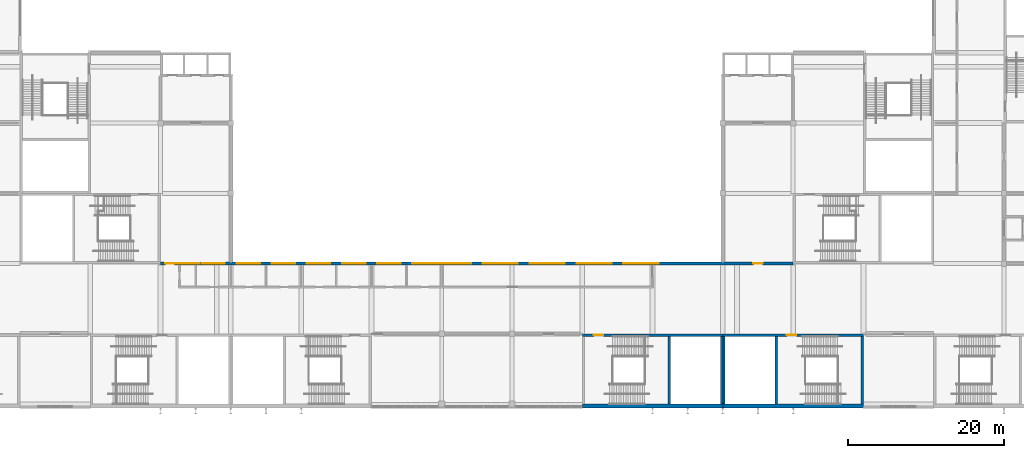
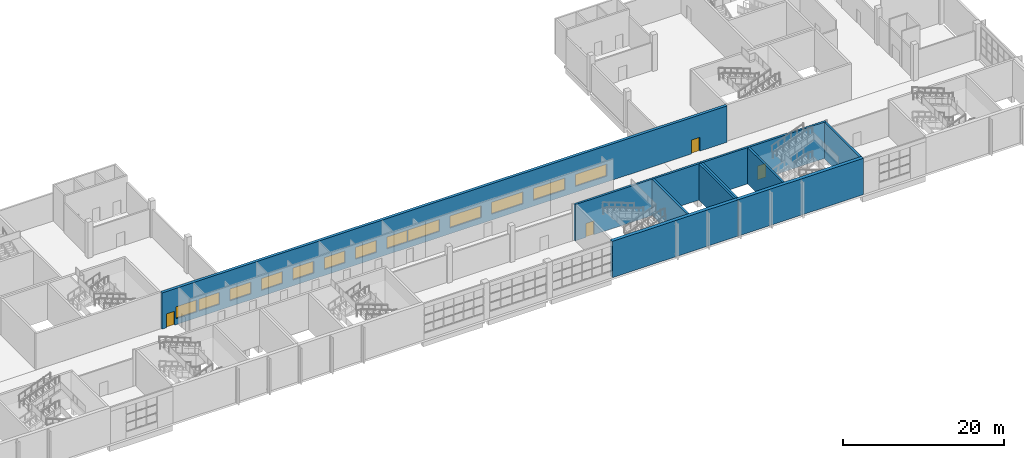
# One storey, part 35 of 84: 13 windows, 10 walls, 4 doors, 17 openings.
"""IFC4 building model written with IfcOpenShell, lengths in metres."""

import ifcopenshell
import ifcopenshell.guid

model = None  # the IFC model being written
_history = None  # IfcOwnerHistory: only IFC2X3 demands one
_inside = {}  # id of a spatial element -> (the spatial element, [elements in it])
_under = {}  # id of a project, library or spatial element -> (it, [spatial elements below it])
_declared = {}  # id of a project -> (the project, [libraries it declares])
_typed = {}  # id of a type object -> (the type object, [elements of that type])
_made_of = {}  # id of a material, layer set ... -> (it, [elements and type objects made of it])


def new_model(schema):
    """Start an empty IFC model of exactly this schema.

    Asked for "IFC4X3", IfcOpenShell would pick the latest addendum, in which some entities
    have other attributes; the version numbers below select the first issue.
    IFC2X3 requires an IfcOwnerHistory on every rooted entity: one is made here for all.
    """
    global model, _history
    if schema == "IFC4X3":
        model = ifcopenshell.file(schema_version=(4, 3, 0, 0))
    else:
        model = ifcopenshell.file(schema=schema)
    _inside.clear()
    _under.clear()
    _declared.clear()
    _typed.clear()
    _made_of.clear()
    _history = None
    if model.schema == "IFC2X3":
        org = make("IfcOrganization", Name="unknown")
        user = make(
            "IfcPersonAndOrganization",
            ThePerson=make("IfcPerson", FamilyName="unknown"),
            TheOrganization=org,
        )
        app = make(
            "IfcApplication",
            ApplicationDeveloper=org,
            Version="unknown",
            ApplicationFullName="unknown",
            ApplicationIdentifier="unknown",
        )
        _history = make(
            "IfcOwnerHistory",
            OwningUser=user,
            OwningApplication=app,
            ChangeAction="ADDED",
            CreationDate=0,
        )
    return model


def make(cls, **values):
    """One entity of the class cls with the attributes given. An attribute that is None is left unset."""
    return model.create_entity(
        cls, **{name: value for name, value in values.items() if value is not None}
    )


def rooted(cls, **values):
    """An entity with a GlobalId (a new one), such as an element, a storey or a relation."""
    return make(cls, GlobalId=ifcopenshell.guid.new(), OwnerHistory=_history, **values)


def si_unit(unit_type, name, prefix=None):
    """IfcSIUnit, for example si_unit("LENGTHUNIT", "METRE", prefix="MILLI")."""
    return make("IfcSIUnit", UnitType=unit_type, Prefix=prefix, Name=name)


def assignment(units):
    """IfcUnitAssignment: the units of a project."""
    return None if units is None else make("IfcUnitAssignment", Units=units)


def point(xyz):
    """IfcCartesianPoint."""
    return None if xyz is None else make("IfcCartesianPoint", Coordinates=xyz)


def direction(xyz):
    """IfcDirection."""
    return None if xyz is None else make("IfcDirection", DirectionRatios=xyz)


def frame(location, z_axis=None, x_axis=None):
    """IfcAxis2Placement3D, a coordinate frame: its origin and axes. An axis left out is left unset."""
    return make(
        "IfcAxis2Placement3D",
        Location=point(location),
        Axis=direction(z_axis),
        RefDirection=direction(x_axis),
    )


def frame_2d(location, x_axis=None):
    """IfcAxis2Placement2D, a coordinate frame in the plane: its origin and x axis."""
    return make(
        "IfcAxis2Placement2D", Location=point(location), RefDirection=direction(x_axis)
    )


def origin():
    """The frame at (0, 0, 0) with its axes left unset."""
    return frame((0.0, 0.0, 0.0))


def place(relative_to, where):
    """IfcLocalPlacement: puts the frame where relative to a parent placement (None: the world)."""
    return make(
        "IfcLocalPlacement", PlacementRelTo=relative_to, RelativePlacement=where
    )


def context(
    kind, dimensions, precision=None, world=None, true_north=None, identifier=None
):
    """IfcGeometricRepresentationContext, for example the 3D "Model" context."""
    return make(
        "IfcGeometricRepresentationContext",
        ContextIdentifier=identifier,
        ContextType=kind,
        CoordinateSpaceDimension=dimensions,
        Precision=precision,
        WorldCoordinateSystem=world,
        TrueNorth=true_north,
    )


def subcontext(parent, identifier, kind, view, scale=None):
    """IfcGeometricRepresentationSubContext, for example "Body" below "Model"."""
    return make(
        "IfcGeometricRepresentationSubContext",
        ContextIdentifier=identifier,
        ContextType=kind,
        ParentContext=parent,
        TargetScale=scale,
        TargetView=view,
    )


def project(units=None, contexts=None):
    """IfcProject with its units and contexts."""
    return rooted(
        "IfcProject",
        Name="project",
        RepresentationContexts=contexts,
        UnitsInContext=assignment(units),
    )


def spatial(cls, under=None, at=None, **own):
    """A site, building, storey or space (cls), placed at a placement, below another one or the project."""
    s = rooted(cls, ObjectPlacement=at, **own)
    if under is not None:
        _under.setdefault(under.id(), (under, []))[1].append(s)
    return s


def profile(cls, at=None, kind="AREA", **sizes):
    """A parametric profile (cls). Its sizes go by their IFC names, for example OverallWidth=200.0."""
    return make(cls, ProfileType=kind, Position=at, **sizes)


def rectangle(**sizes):
    """IfcRectangleProfileDef."""
    return profile("IfcRectangleProfileDef", **sizes)


def extrude(swept, where, along, depth):
    """IfcExtrudedAreaSolid: the profile swept, set in the frame where, extruded along a direction by depth."""
    return make(
        "IfcExtrudedAreaSolid",
        SweptArea=swept,
        Position=where,
        ExtrudedDirection=direction(along),
        Depth=depth,
    )


def shape(context_of_items, identifier, shape_type, items):
    """IfcShapeRepresentation: the items that make up one representation, for example the "Body"."""
    return make(
        "IfcShapeRepresentation",
        ContextOfItems=context_of_items,
        RepresentationIdentifier=identifier,
        RepresentationType=shape_type,
        Items=items,
    )


def material(Name=None, Category=None):
    """IfcMaterial."""
    return make("IfcMaterial", Name=Name, Category=Category)


def layer(
    of_material, thickness, ventilated=None, Name=None, Category=None, Priority=None
):
    """IfcMaterialLayer: one layer of a wall or slab, of a material (None: an air gap)."""
    return make(
        "IfcMaterialLayer",
        Material=of_material,
        LayerThickness=thickness,
        IsVentilated=ventilated,
        Name=Name,
        Category=Category,
        Priority=Priority,
    )


def layer_set(layers, Name=None):
    """IfcMaterialLayerSet."""
    return make("IfcMaterialLayerSet", MaterialLayers=layers, LayerSetName=Name)


def made_of(thing, what):
    """Note that an element or type object is made of a material, layer set ...; save() writes the relation."""
    if what is not None:
        _made_of.setdefault(what.id(), (what, []))[1].append(thing)
    return thing


def type_object(cls, material=None, **own):
    """A type object (cls), such as IfcWallType, which elements share."""
    return made_of(rooted(cls, **own), material)


def element(
    cls,
    number,
    at=None,
    inside=None,
    cuts=None,
    type_object=None,
    material=None,
    context=None,
    identifier="Body",
    shape_type=None,
    held_by="IfcProductDefinitionShape",
    body=None,
    shapes=None,
    **own,
):
    """One element of the class cls, such as IfcWall. Its Tag is "e" and its number.

    at: its placement. inside: the storey or other place that contains it. cuts: it is an
    opening in that element (IfcRelVoidsElement). A single representation is given by context,
    identifier, shape_type and body (its items); several are given by shapes. held_by: the class
    of the entity that holds the representations. save() writes the other relations.
    """
    e = rooted(cls, Tag="e%d" % number, ObjectPlacement=at, **own)
    if body is not None:
        shapes = [shape(context, identifier, shape_type, body)]
    if shapes is not None:
        e.Representation = make(held_by, Representations=shapes)
    if inside is not None:
        _inside.setdefault(inside.id(), (inside, []))[1].append(e)
    if cuts is not None:
        rooted(
            "IfcRelVoidsElement", RelatingBuildingElement=cuts, RelatedOpeningElement=e
        )
    if type_object is not None:
        _typed.setdefault(type_object.id(), (type_object, []))[1].append(e)
    return made_of(e, material)


def fill(opening, filler):
    """IfcRelFillsElement: the door or window that sits in an opening."""
    return rooted(
        "IfcRelFillsElement",
        RelatingOpeningElement=opening,
        RelatedBuildingElement=filler,
    )


def aggregate(whole, parts):
    """IfcRelAggregates: a whole, such as a stair, and the parts it consists of."""
    return rooted("IfcRelAggregates", RelatingObject=whole, RelatedObjects=parts)


def save(model, path):
    """Write the relations noted so far, then the file.

    IfcRelAggregates (storeys below a building ...), IfcRelContainedInSpatialStructure (elements
    in a storey), IfcRelDefinesByType, IfcRelAssociatesMaterial and IfcRelDeclares: one each for
    every whole, place, type object, material and project.
    """
    for whole, parts in _under.values():
        aggregate(whole, parts)
    for where, things in _inside.values():
        rooted(
            "IfcRelContainedInSpatialStructure",
            RelatedElements=things,
            RelatingStructure=where,
        )
    for kind, things in _typed.values():
        rooted("IfcRelDefinesByType", RelatedObjects=things, RelatingType=kind)
    for what, things in _made_of.values():
        rooted("IfcRelAssociatesMaterial", RelatedObjects=things, RelatingMaterial=what)
    for by, libraries in _declared.values():
        rooted("IfcRelDeclares", RelatingContext=by, RelatedDefinitions=libraries)
    model.write(path)


model = new_model("IFC4")

# Units and contexts
model_context = context("Model", 3, precision=1e-05, world=origin(), true_north=direction((0.0, 1.0)))
body_context = subcontext(model_context, "Body", "Model", "MODEL_VIEW")
ifc_project = project(units=[si_unit("LENGTHUNIT", "METRE"), si_unit("AREAUNIT", "SQUARE_METRE"), si_unit("VOLUMEUNIT", "CUBIC_METRE"), si_unit("PLANEANGLEUNIT", "RADIAN"), si_unit("MASSUNIT", "GRAM", prefix="KILO")], contexts=[model_context])

# Site, building, storey
site_placement = place(None, origin())
site = spatial("IfcSite", under=ifc_project, at=site_placement, CompositionType="ELEMENT")
building_placement = place(site_placement, origin())
building = spatial("IfcBuilding", under=site, at=building_placement, Name="Silverbay Arena", CompositionType="ELEMENT")
storey_placement = place(building_placement, frame((0.0, 0.0, 28.0)))
storey = spatial("IfcBuildingStorey", under=building, at=storey_placement, Name="L04", CompositionType="ELEMENT", Elevation=28.0)

# Wall, opening, door
ifc_material_1 = material(Name="Concrete Grade C45", Category="concrete")
ifc_layer_1 = layer(ifc_material_1, 0.300048828125)
ifc_layer_set_1 = layer_set([ifc_layer_1], Name="Concrete Grade C45")
wall_type_1 = type_object("IfcWallType", Name="Core wall RC 300 EI 120", PredefinedType="SHEAR", material=ifc_layer_set_1)
wall_1_placement = place(storey_placement, frame((144.0, 26.85009765625, 0.0), z_axis=(0.0, 0.0, 1.0), x_axis=(1.0, 0.0, 0.0)))
wall_1 = element("IfcWall", 1, at=wall_1_placement, inside=storey, type_object=wall_type_1, Name="Core wall ST-S3 L04 door side", PredefinedType="SHEAR", context=body_context, shape_type="SweptSolid", body=[
    extrude(rectangle(XDim=18.0, YDim=0.300048828125, at=frame_2d((9.0, 0.0))), origin(), (0.0, 0.0, 1.0), 5.5),
])
opening_1_placement = place(wall_1_placement, frame((1.5, 0.0, 0.0)))
opening_1 = element("IfcOpeningElement", 2, at=opening_1_placement, cuts=wall_1, Name="Opening L04-057", PredefinedType="OPENING", context=body_context, shape_type="SweptSolid", body=[
    extrude(rectangle(XDim=1.199951171875, YDim=2.10009765625, at=frame_2d((0.60009765625, 1.050048828125))), frame((0.0, 0.16015625, 0.0), z_axis=(0.0, -1.0, 0.0), x_axis=(1.0, 0.0, 0.0)), (0.0, 0.0, 1.0), 0.320068359375),
])
ifc_material_2 = material(Name="Steel fire door", Category="steel")
door_type_1 = type_object("IfcDoorType", Name="Stair door 1200 x 2100 fire door", OperationType="SINGLE_SWING_LEFT", PredefinedType="DOOR", material=ifc_material_2)
door_1_placement = place(opening_1_placement, frame((1.199951171875, 0.0, 0.0), z_axis=(0.0, 0.0, 1.0), x_axis=(-1.0, 0.0, 0.0)))
door_1 = element("IfcDoor", 3, at=door_1_placement, inside=storey, type_object=door_type_1, Name="Stair door ST-S3 L04", OperationType="SINGLE_SWING_RIGHT", OverallHeight=2.10009765625, OverallWidth=1.199951171875, PredefinedType="DOOR", context=body_context, shape_type="SweptSolid", body=[
    extrude(rectangle(XDim=1.199951171875, YDim=2.10009765625, at=frame_2d((0.60009765625, 1.050048828125))), frame((0.0, 0.02490234375, 0.0), z_axis=(0.0, -1.0, 0.0), x_axis=(1.0, 0.0, 0.0)), (0.0, 0.0, 1.0), 0.050048828125),
])
fill(opening_1, door_1)

# Walls
for number, where, z_axis, x_axis, name in (
    (4, (161.85009765625, 26.699951171875, 0.0), (0.0, 0.0, 1.0), (0.0, -1.0, 0.0), "Core wall ST-S3 L04 end 2"),
    (5, (155.14990234375, 26.699951171875, 0.0), (0.0, 0.0, 1.0), (0.0, -1.0, 0.0), "Core wall ST-S3 L04 stair enclosure"),
):
    element("IfcWall", number, at=place(storey_placement, frame(where, z_axis=z_axis, x_axis=x_axis)), inside=storey, type_object=wall_type_1, Name=name, PredefinedType="SHEAR", context=body_context, shape_type="SweptSolid", body=[
        extrude(rectangle(XDim=8.699951171875, YDim=0.300048828125, at=frame_2d((4.35009765625, 0.0))), origin(), (0.0, 0.0, 1.0), 5.5),
    ])

# Wall, opening, door
wall_2_placement = place(storey_placement, frame((180.0, 26.85009765625, 0.0), z_axis=(0.0, 0.0, 1.0), x_axis=(-1.0, 0.0, 0.0)))
wall_2 = element("IfcWall", 6, at=wall_2_placement, inside=storey, type_object=wall_type_1, Name="Core wall ST-S4 L04 door side", PredefinedType="SHEAR", context=body_context, shape_type="SweptSolid", body=[
    extrude(rectangle(XDim=18.0, YDim=0.300048828125, at=frame_2d((9.0, 0.0))), origin(), (0.0, 0.0, 1.0), 5.5),
])
opening_2_placement = place(wall_2_placement, frame((8.60009765625, 0.0, 0.0)))
opening_2 = element("IfcOpeningElement", 7, at=opening_2_placement, cuts=wall_2, Name="Opening L04-058", PredefinedType="OPENING", context=body_context, shape_type="SweptSolid", body=[
    extrude(rectangle(XDim=1.199951171875, YDim=2.10009765625, at=frame_2d((0.60009765625, 1.050048828125))), frame((0.0, 0.16015625, 0.0), z_axis=(0.0, -1.0, 0.0), x_axis=(1.0, 0.0, 0.0)), (0.0, 0.0, 1.0), 0.320068359375),
])
door_2_placement = place(opening_2_placement, origin())
door_2 = element("IfcDoor", 8, at=door_2_placement, inside=storey, type_object=door_type_1, Name="Stair door ST-S4 L04", OperationType="SINGLE_SWING_RIGHT", OverallHeight=2.10009765625, OverallWidth=1.199951171875, PredefinedType="DOOR", context=body_context, shape_type="SweptSolid", body=[
    extrude(rectangle(XDim=1.199951171875, YDim=2.10009765625, at=frame_2d((0.60009765625, 1.050048828125))), frame((0.0, 0.02490234375, 0.0), z_axis=(0.0, -1.0, 0.0), x_axis=(1.0, 0.0, 0.0)), (0.0, 0.0, 1.0), 0.050048828125),
])
fill(opening_2, door_2)

# Walls
for number, where, z_axis, x_axis, name in (
    (9, (179.85009765625, 26.699951171875, 0.0), (0.0, 0.0, 1.0), (0.0, -1.0, 0.0), "Core wall ST-S4 L04 end 1"),
    (10, (162.14990234375, 26.699951171875, 0.0), (0.0, 0.0, 1.0), (0.0, -1.0, 0.0), "Core wall ST-S4 L04 end 2"),
    (11, (168.85009765625, 26.699951171875, 0.0), (0.0, 0.0, 1.0), (0.0, -1.0, 0.0), "Core wall ST-S4 L04 stair enclosure"),
):
    element("IfcWall", number, at=place(storey_placement, frame(where, z_axis=z_axis, x_axis=x_axis)), inside=storey, type_object=wall_type_1, Name=name, PredefinedType="SHEAR", context=body_context, shape_type="SweptSolid", body=[
        extrude(rectangle(XDim=8.699951171875, YDim=0.300048828125, at=frame_2d((4.35009765625, 0.0))), origin(), (0.0, 0.0, 1.0), 5.5),
    ])
ifc_material_3 = material(Name="Concrete Grade C45", Category="concrete")
ifc_layer_2 = layer(ifc_material_3, 0.5)
ifc_layer_set_2 = layer_set([ifc_layer_2], Name="Concrete Grade C45")
wall_type_2 = type_object("IfcWallType", Name="Core wall RC 500 external EI 120", PredefinedType="SHEAR", material=ifc_layer_set_2)
for number, where, z_axis, x_axis, name in (
    (12, (144.0, 17.75, 0.0), (0.0, 0.0, 1.0), (1.0, 0.0, 0.0), "Core wall ST-S3 L04 facade side"),
    (13, (180.0, 17.75, 0.0), (0.0, 0.0, 1.0), (-1.0, 0.0, 0.0), "Core wall ST-S4 L04 facade side"),
):
    element("IfcWall", number, at=place(storey_placement, frame(where, z_axis=z_axis, x_axis=x_axis)), inside=storey, type_object=wall_type_2, Name=name, PredefinedType="SHEAR", context=body_context, shape_type="SweptSolid", body=[
        extrude(rectangle(XDim=18.0, YDim=0.5, at=frame_2d((9.0, 0.0))), origin(), (0.0, 0.0, 1.0), 5.5),
    ])

# Wall, openings, windows, doors
ifc_material_4 = material(Name="Concrete Grade C45", Category="concrete")
ifc_layer_3 = layer(ifc_material_4, 0.39990234375)
ifc_layer_set_3 = layer_set([ifc_layer_3], Name="Concrete Grade C45")
wall_type_3 = type_object("IfcWallType", Name="RC back wall 400 EI 120", PredefinedType="SOLIDWALL", material=ifc_layer_set_3)
wall_3_placement = place(storey_placement, frame((90.0, 36.0, 0.0), z_axis=(0.0, 0.0, 1.0), x_axis=(1.0, 0.0, 0.0)))
wall_3 = element("IfcWall", 14, at=wall_3_placement, inside=storey, type_object=wall_type_3, Name="Bowl back wall L04 01", PredefinedType="SOLIDWALL", context=body_context, shape_type="SweptSolid", body=[
    extrude(rectangle(XDim=81.0, YDim=0.39990234375, at=frame_2d((40.5, 0.0))), origin(), (0.0, 0.0, 1.0), 5.5),
])
opening_3_placement = place(wall_3_placement, frame((1.96240234375, 0.0, 0.89990234375)))
opening_3 = element("IfcOpeningElement", 15, at=opening_3_placement, cuts=wall_3, Name="Opening WN2", PredefinedType="OPENING", context=body_context, shape_type="SweptSolid", body=[
    extrude(rectangle(XDim=3.0, YDim=1.800048828125, at=frame_2d((1.5, 0.89990234375))), frame((0.0, 0.2099609375, 0.0), z_axis=(0.0, -1.0, 0.0), x_axis=(1.0, 0.0, 0.0)), (0.0, 0.0, 1.0), 0.419921875),
])
opening_4_placement = place(wall_3_placement, frame((5.25, 0.0, 0.89990234375)))
opening_4 = element("IfcOpeningElement", 16, at=opening_4_placement, cuts=wall_3, Name="Opening WN2", PredefinedType="OPENING", context=body_context, shape_type="SweptSolid", body=[
    extrude(rectangle(XDim=3.0, YDim=1.800048828125, at=frame_2d((1.5, 0.89990234375))), frame((0.0, 0.2099609375, 0.0), z_axis=(0.0, -1.0, 0.0), x_axis=(1.0, 0.0, 0.0)), (0.0, 0.0, 1.0), 0.419921875),
])
opening_5_placement = place(wall_3_placement, frame((9.75, 0.0, 0.89990234375)))
opening_5 = element("IfcOpeningElement", 17, at=opening_5_placement, cuts=wall_3, Name="Opening WN2", PredefinedType="OPENING", context=body_context, shape_type="SweptSolid", body=[
    extrude(rectangle(XDim=3.0, YDim=1.800048828125, at=frame_2d((1.5, 0.89990234375))), frame((0.0, 0.2099609375, 0.0), z_axis=(0.0, -1.0, 0.0), x_axis=(1.0, 0.0, 0.0)), (0.0, 0.0, 1.0), 0.419921875),
])
opening_6_placement = place(wall_3_placement, frame((14.25, 0.0, 0.89990234375)))
opening_6 = element("IfcOpeningElement", 18, at=opening_6_placement, cuts=wall_3, Name="Opening WN2", PredefinedType="OPENING", context=body_context, shape_type="SweptSolid", body=[
    extrude(rectangle(XDim=3.0, YDim=1.800048828125, at=frame_2d((1.5, 0.89990234375))), frame((0.0, 0.2099609375, 0.0), z_axis=(0.0, -1.0, 0.0), x_axis=(1.0, 0.0, 0.0)), (0.0, 0.0, 1.0), 0.419921875),
])
opening_7_placement = place(wall_3_placement, frame((18.75, 0.0, 0.89990234375)))
opening_7 = element("IfcOpeningElement", 19, at=opening_7_placement, cuts=wall_3, Name="Opening WN2", PredefinedType="OPENING", context=body_context, shape_type="SweptSolid", body=[
    extrude(rectangle(XDim=3.0, YDim=1.800048828125, at=frame_2d((1.5, 0.89990234375))), frame((0.0, 0.2099609375, 0.0), z_axis=(0.0, -1.0, 0.0), x_axis=(1.0, 0.0, 0.0)), (0.0, 0.0, 1.0), 0.419921875),
])
opening_8_placement = place(wall_3_placement, frame((23.25, 0.0, 0.89990234375)))
opening_8 = element("IfcOpeningElement", 20, at=opening_8_placement, cuts=wall_3, Name="Opening WN2", PredefinedType="OPENING", context=body_context, shape_type="SweptSolid", body=[
    extrude(rectangle(XDim=3.0, YDim=1.800048828125, at=frame_2d((1.5, 0.89990234375))), frame((0.0, 0.2099609375, 0.0), z_axis=(0.0, -1.0, 0.0), x_axis=(1.0, 0.0, 0.0)), (0.0, 0.0, 1.0), 0.419921875),
])
opening_9_placement = place(wall_3_placement, frame((27.75, 0.0, 0.89990234375)))
opening_9 = element("IfcOpeningElement", 21, at=opening_9_placement, cuts=wall_3, Name="Opening WN2", PredefinedType="OPENING", context=body_context, shape_type="SweptSolid", body=[
    extrude(rectangle(XDim=3.0, YDim=1.800048828125, at=frame_2d((1.5, 0.89990234375))), frame((0.0, 0.2099609375, 0.0), z_axis=(0.0, -1.0, 0.0), x_axis=(1.0, 0.0, 0.0)), (0.0, 0.0, 1.0), 0.419921875),
])
opening_10_placement = place(wall_3_placement, frame((32.237548828125, 0.0, 0.89990234375)))
opening_10 = element("IfcOpeningElement", 22, at=opening_10_placement, cuts=wall_3, Name="Opening WN2", PredefinedType="OPENING", context=body_context, shape_type="SweptSolid", body=[
    extrude(rectangle(XDim=3.0, YDim=1.800048828125, at=frame_2d((1.5, 0.89990234375))), frame((0.0, 0.2099609375, 0.0), z_axis=(0.0, -1.0, 0.0), x_axis=(1.0, 0.0, 0.0)), (0.0, 0.0, 1.0), 0.419921875),
])
opening_11_placement = place(wall_3_placement, frame((35.262451171875, 0.0, 0.89990234375)))
opening_11 = element("IfcOpeningElement", 23, at=opening_11_placement, cuts=wall_3, Name="Opening WN3", PredefinedType="OPENING", context=body_context, shape_type="SweptSolid", body=[
    extrude(rectangle(XDim=4.5, YDim=1.800048828125, at=frame_2d((2.25, 0.89990234375))), frame((0.0, 0.2099609375, 0.0), z_axis=(0.0, -1.0, 0.0), x_axis=(1.0, 0.0, 0.0)), (0.0, 0.0, 1.0), 0.419921875),
])
opening_12_placement = place(wall_3_placement, frame((41.262451171875, 0.0, 0.89990234375)))
opening_12 = element("IfcOpeningElement", 24, at=opening_12_placement, cuts=wall_3, Name="Opening WN3", PredefinedType="OPENING", context=body_context, shape_type="SweptSolid", body=[
    extrude(rectangle(XDim=4.5, YDim=1.800048828125, at=frame_2d((2.25, 0.89990234375))), frame((0.0, 0.2099609375, 0.0), z_axis=(0.0, -1.0, 0.0), x_axis=(1.0, 0.0, 0.0)), (0.0, 0.0, 1.0), 0.419921875),
])
opening_13_placement = place(wall_3_placement, frame((47.262451171875, 0.0, 0.89990234375)))
opening_13 = element("IfcOpeningElement", 25, at=opening_13_placement, cuts=wall_3, Name="Opening WN3", PredefinedType="OPENING", context=body_context, shape_type="SweptSolid", body=[
    extrude(rectangle(XDim=4.5, YDim=1.800048828125, at=frame_2d((2.25, 0.89990234375))), frame((0.0, 0.2099609375, 0.0), z_axis=(0.0, -1.0, 0.0), x_axis=(1.0, 0.0, 0.0)), (0.0, 0.0, 1.0), 0.419921875),
])
opening_14_placement = place(wall_3_placement, frame((53.262451171875, 0.0, 0.89990234375)))
opening_14 = element("IfcOpeningElement", 26, at=opening_14_placement, cuts=wall_3, Name="Opening WN3", PredefinedType="OPENING", context=body_context, shape_type="SweptSolid", body=[
    extrude(rectangle(XDim=4.5, YDim=1.800048828125, at=frame_2d((2.25, 0.89990234375))), frame((0.0, 0.2099609375, 0.0), z_axis=(0.0, -1.0, 0.0), x_axis=(1.0, 0.0, 0.0)), (0.0, 0.0, 1.0), 0.419921875),
])
opening_15_placement = place(wall_3_placement, frame((59.262451171875, 0.0, 0.89990234375)))
opening_15 = element("IfcOpeningElement", 27, at=opening_15_placement, cuts=wall_3, Name="Opening WN3", PredefinedType="OPENING", context=body_context, shape_type="SweptSolid", body=[
    extrude(rectangle(XDim=4.5, YDim=1.800048828125, at=frame_2d((2.25, 0.89990234375))), frame((0.0, 0.2099609375, 0.0), z_axis=(0.0, -1.0, 0.0), x_axis=(1.0, 0.0, 0.0)), (0.0, 0.0, 1.0), 0.419921875),
])
opening_16_placement = place(wall_3_placement, frame((75.89990234375, 0.0, 0.0)))
opening_16 = element("IfcOpeningElement", 28, at=opening_16_placement, cuts=wall_3, Name="Opening L04-091", PredefinedType="OPENING", context=body_context, shape_type="SweptSolid", body=[
    extrude(rectangle(XDim=1.199951171875, YDim=2.10009765625, at=frame_2d((0.60009765625, 1.050048828125))), frame((0.0, 0.2099609375, 0.0), z_axis=(0.0, -1.0, 0.0), x_axis=(1.0, 0.0, 0.0)), (0.0, 0.0, 1.0), 0.419921875),
])
opening_17_placement = place(wall_3_placement, frame((0.60009765625, 0.0, 0.0)))
opening_17 = element("IfcOpeningElement", 29, at=opening_17_placement, cuts=wall_3, Name="Opening L04-093", PredefinedType="OPENING", context=body_context, shape_type="SweptSolid", body=[
    extrude(rectangle(XDim=1.199951171875, YDim=2.10009765625, at=frame_2d((0.60009765625, 1.050048828125))), frame((0.0, 0.2099609375, 0.0), z_axis=(0.0, -1.0, 0.0), x_axis=(1.0, 0.0, 0.0)), (0.0, 0.0, 1.0), 0.419921875),
])
ifc_material_5 = material(Name="Fire-resisting glass", Category="glass")
window_type_1 = type_object("IfcWindowType", Name="Fire-resisting window EI 120 3000 x 1800", PartitioningType="SINGLE_PANEL", PredefinedType="WINDOW", material=ifc_material_5)
window_1_placement = place(opening_3_placement, origin())
window_1 = element("IfcWindow", 30, at=window_1_placement, inside=storey, type_object=window_type_1, Name="Media viewing window Commentary Position 01", OverallHeight=1.800048828125, OverallWidth=3.0, PartitioningType="SINGLE_PANEL", PredefinedType="WINDOW", context=body_context, shape_type="SweptSolid", body=[
    extrude(rectangle(XDim=3.0, YDim=1.800048828125, at=frame_2d((1.5, 0.89990234375))), frame((0.0, 0.030029296875, 0.0), z_axis=(0.0, -1.0, 0.0), x_axis=(1.0, 0.0, 0.0)), (0.0, 0.0, 1.0), 0.06005859375),
])
fill(opening_3, window_1)
window_2_placement = place(opening_4_placement, origin())
window_2 = element("IfcWindow", 31, at=window_2_placement, inside=storey, type_object=window_type_1, Name="Media viewing window Commentary Position 02", OverallHeight=1.800048828125, OverallWidth=3.0, PartitioningType="SINGLE_PANEL", PredefinedType="WINDOW", context=body_context, shape_type="SweptSolid", body=[
    extrude(rectangle(XDim=3.0, YDim=1.800048828125, at=frame_2d((1.5, 0.89990234375))), frame((0.0, 0.030029296875, 0.0), z_axis=(0.0, -1.0, 0.0), x_axis=(1.0, 0.0, 0.0)), (0.0, 0.0, 1.0), 0.06005859375),
])
fill(opening_4, window_2)
window_3_placement = place(opening_5_placement, origin())
window_3 = element("IfcWindow", 32, at=window_3_placement, inside=storey, type_object=window_type_1, Name="Media viewing window Commentary Position 03", OverallHeight=1.800048828125, OverallWidth=3.0, PartitioningType="SINGLE_PANEL", PredefinedType="WINDOW", context=body_context, shape_type="SweptSolid", body=[
    extrude(rectangle(XDim=3.0, YDim=1.800048828125, at=frame_2d((1.5, 0.89990234375))), frame((0.0, 0.030029296875, 0.0), z_axis=(0.0, -1.0, 0.0), x_axis=(1.0, 0.0, 0.0)), (0.0, 0.0, 1.0), 0.06005859375),
])
fill(opening_5, window_3)
window_4_placement = place(opening_6_placement, origin())
window_4 = element("IfcWindow", 33, at=window_4_placement, inside=storey, type_object=window_type_1, Name="Media viewing window Commentary Position 04", OverallHeight=1.800048828125, OverallWidth=3.0, PartitioningType="SINGLE_PANEL", PredefinedType="WINDOW", context=body_context, shape_type="SweptSolid", body=[
    extrude(rectangle(XDim=3.0, YDim=1.800048828125, at=frame_2d((1.5, 0.89990234375))), frame((0.0, 0.030029296875, 0.0), z_axis=(0.0, -1.0, 0.0), x_axis=(1.0, 0.0, 0.0)), (0.0, 0.0, 1.0), 0.06005859375),
])
fill(opening_6, window_4)
window_5_placement = place(opening_7_placement, origin())
window_5 = element("IfcWindow", 34, at=window_5_placement, inside=storey, type_object=window_type_1, Name="Media viewing window Commentary Position 05", OverallHeight=1.800048828125, OverallWidth=3.0, PartitioningType="SINGLE_PANEL", PredefinedType="WINDOW", context=body_context, shape_type="SweptSolid", body=[
    extrude(rectangle(XDim=3.0, YDim=1.800048828125, at=frame_2d((1.5, 0.89990234375))), frame((0.0, 0.030029296875, 0.0), z_axis=(0.0, -1.0, 0.0), x_axis=(1.0, 0.0, 0.0)), (0.0, 0.0, 1.0), 0.06005859375),
])
fill(opening_7, window_5)
window_6_placement = place(opening_8_placement, origin())
window_6 = element("IfcWindow", 35, at=window_6_placement, inside=storey, type_object=window_type_1, Name="Media viewing window Commentary Position 06", OverallHeight=1.800048828125, OverallWidth=3.0, PartitioningType="SINGLE_PANEL", PredefinedType="WINDOW", context=body_context, shape_type="SweptSolid", body=[
    extrude(rectangle(XDim=3.0, YDim=1.800048828125, at=frame_2d((1.5, 0.89990234375))), frame((0.0, 0.030029296875, 0.0), z_axis=(0.0, -1.0, 0.0), x_axis=(1.0, 0.0, 0.0)), (0.0, 0.0, 1.0), 0.06005859375),
])
fill(opening_8, window_6)
window_7_placement = place(opening_9_placement, origin())
window_7 = element("IfcWindow", 36, at=window_7_placement, inside=storey, type_object=window_type_1, Name="Media viewing window Commentary Position 07", OverallHeight=1.800048828125, OverallWidth=3.0, PartitioningType="SINGLE_PANEL", PredefinedType="WINDOW", context=body_context, shape_type="SweptSolid", body=[
    extrude(rectangle(XDim=3.0, YDim=1.800048828125, at=frame_2d((1.5, 0.89990234375))), frame((0.0, 0.030029296875, 0.0), z_axis=(0.0, -1.0, 0.0), x_axis=(1.0, 0.0, 0.0)), (0.0, 0.0, 1.0), 0.06005859375),
])
fill(opening_9, window_7)
window_8_placement = place(opening_10_placement, origin())
window_8 = element("IfcWindow", 37, at=window_8_placement, inside=storey, type_object=window_type_1, Name="Media viewing window Commentary Position 08", OverallHeight=1.800048828125, OverallWidth=3.0, PartitioningType="SINGLE_PANEL", PredefinedType="WINDOW", context=body_context, shape_type="SweptSolid", body=[
    extrude(rectangle(XDim=3.0, YDim=1.800048828125, at=frame_2d((1.5, 0.89990234375))), frame((0.0, 0.030029296875, 0.0), z_axis=(0.0, -1.0, 0.0), x_axis=(1.0, 0.0, 0.0)), (0.0, 0.0, 1.0), 0.06005859375),
])
fill(opening_10, window_8)
ifc_material_6 = material(Name="Fire-resisting glass", Category="glass")
window_type_2 = type_object("IfcWindowType", Name="Fire-resisting window EI 120 4500 x 1800", PartitioningType="SINGLE_PANEL", PredefinedType="WINDOW", material=ifc_material_6)
window_9_placement = place(opening_11_placement, origin())
window_9 = element("IfcWindow", 38, at=window_9_placement, inside=storey, type_object=window_type_2, Name="Media viewing window Press Tribune", OverallHeight=1.800048828125, OverallWidth=4.5, PartitioningType="SINGLE_PANEL", PredefinedType="WINDOW", context=body_context, shape_type="SweptSolid", body=[
    extrude(rectangle(XDim=4.5, YDim=1.800048828125, at=frame_2d((2.25, 0.89990234375))), frame((0.0, 0.030029296875, 0.0), z_axis=(0.0, -1.0, 0.0), x_axis=(1.0, 0.0, 0.0)), (0.0, 0.0, 1.0), 0.06005859375),
])
fill(opening_11, window_9)
window_10_placement = place(opening_12_placement, origin())
window_10 = element("IfcWindow", 39, at=window_10_placement, inside=storey, type_object=window_type_2, Name="Media viewing window Press Tribune", OverallHeight=1.800048828125, OverallWidth=4.5, PartitioningType="SINGLE_PANEL", PredefinedType="WINDOW", context=body_context, shape_type="SweptSolid", body=[
    extrude(rectangle(XDim=4.5, YDim=1.800048828125, at=frame_2d((2.25, 0.89990234375))), frame((0.0, 0.030029296875, 0.0), z_axis=(0.0, -1.0, 0.0), x_axis=(1.0, 0.0, 0.0)), (0.0, 0.0, 1.0), 0.06005859375),
])
fill(opening_12, window_10)
window_11_placement = place(opening_13_placement, origin())
window_11 = element("IfcWindow", 40, at=window_11_placement, inside=storey, type_object=window_type_2, Name="Media viewing window Press Tribune", OverallHeight=1.800048828125, OverallWidth=4.5, PartitioningType="SINGLE_PANEL", PredefinedType="WINDOW", context=body_context, shape_type="SweptSolid", body=[
    extrude(rectangle(XDim=4.5, YDim=1.800048828125, at=frame_2d((2.25, 0.89990234375))), frame((0.0, 0.030029296875, 0.0), z_axis=(0.0, -1.0, 0.0), x_axis=(1.0, 0.0, 0.0)), (0.0, 0.0, 1.0), 0.06005859375),
])
fill(opening_13, window_11)
window_12_placement = place(opening_14_placement, origin())
window_12 = element("IfcWindow", 41, at=window_12_placement, inside=storey, type_object=window_type_2, Name="Media viewing window Press Tribune", OverallHeight=1.800048828125, OverallWidth=4.5, PartitioningType="SINGLE_PANEL", PredefinedType="WINDOW", context=body_context, shape_type="SweptSolid", body=[
    extrude(rectangle(XDim=4.5, YDim=1.800048828125, at=frame_2d((2.25, 0.89990234375))), frame((0.0, 0.030029296875, 0.0), z_axis=(0.0, -1.0, 0.0), x_axis=(1.0, 0.0, 0.0)), (0.0, 0.0, 1.0), 0.06005859375),
])
fill(opening_14, window_12)
window_13_placement = place(opening_15_placement, origin())
window_13 = element("IfcWindow", 42, at=window_13_placement, inside=storey, type_object=window_type_2, Name="Media viewing window Press Tribune", OverallHeight=1.800048828125, OverallWidth=4.5, PartitioningType="SINGLE_PANEL", PredefinedType="WINDOW", context=body_context, shape_type="SweptSolid", body=[
    extrude(rectangle(XDim=4.5, YDim=1.800048828125, at=frame_2d((2.25, 0.89990234375))), frame((0.0, 0.030029296875, 0.0), z_axis=(0.0, -1.0, 0.0), x_axis=(1.0, 0.0, 0.0)), (0.0, 0.0, 1.0), 0.06005859375),
])
fill(opening_15, window_13)
ifc_material_7 = material(Name="Steel faced timber", Category="steel")
door_type_2 = type_object("IfcDoorType", Name="Single leaf door 1200 x 2100 FD120S", OperationType="SINGLE_SWING_LEFT", PredefinedType="DOOR", material=ifc_material_7)
door_3_placement = place(opening_16_placement, frame((1.199951171875, 0.0, 0.0), z_axis=(0.0, 0.0, 1.0), x_axis=(-1.0, 0.0, 0.0)))
door_3 = element("IfcDoor", 43, at=door_3_placement, inside=storey, type_object=door_type_2, Name="Door L04-091", OperationType="SINGLE_SWING_RIGHT", OverallHeight=2.10009765625, OverallWidth=1.199951171875, PredefinedType="DOOR", context=body_context, shape_type="SweptSolid", body=[
    extrude(rectangle(XDim=1.199951171875, YDim=2.10009765625, at=frame_2d((0.60009765625, 1.050048828125))), frame((0.0, 0.02490234375, 0.0), z_axis=(0.0, -1.0, 0.0), x_axis=(1.0, 0.0, 0.0)), (0.0, 0.0, 1.0), 0.050048828125),
])
fill(opening_16, door_3)
door_4_placement = place(opening_17_placement, frame((1.199951171875, 0.0, 0.0), z_axis=(0.0, 0.0, 1.0), x_axis=(-1.0, 0.0, 0.0)))
door_4 = element("IfcDoor", 44, at=door_4_placement, inside=storey, type_object=door_type_2, Name="Door L04-093", OperationType="SINGLE_SWING_RIGHT", OverallHeight=2.10009765625, OverallWidth=1.199951171875, PredefinedType="DOOR", context=body_context, shape_type="SweptSolid", body=[
    extrude(rectangle(XDim=1.199951171875, YDim=2.10009765625, at=frame_2d((0.60009765625, 1.050048828125))), frame((0.0, 0.02490234375, 0.0), z_axis=(0.0, -1.0, 0.0), x_axis=(1.0, 0.0, 0.0)), (0.0, 0.0, 1.0), 0.050048828125),
])
fill(opening_17, door_4)

save(model, "model.ifc")
